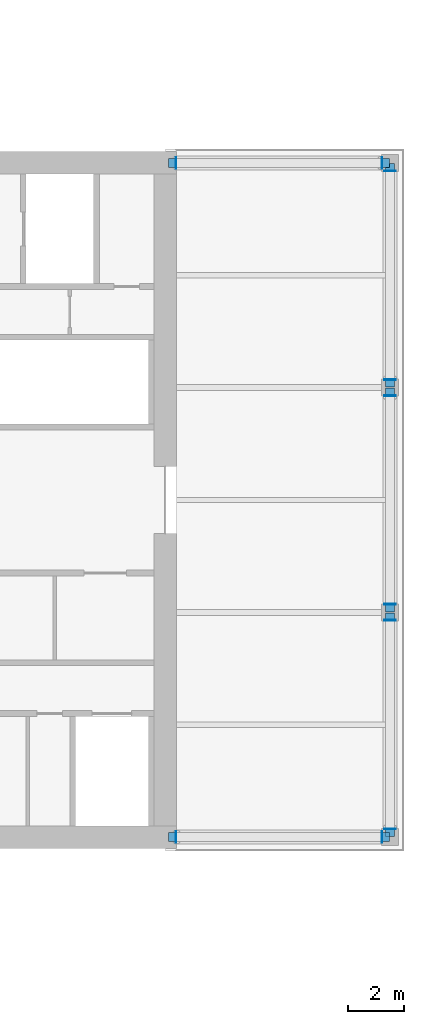
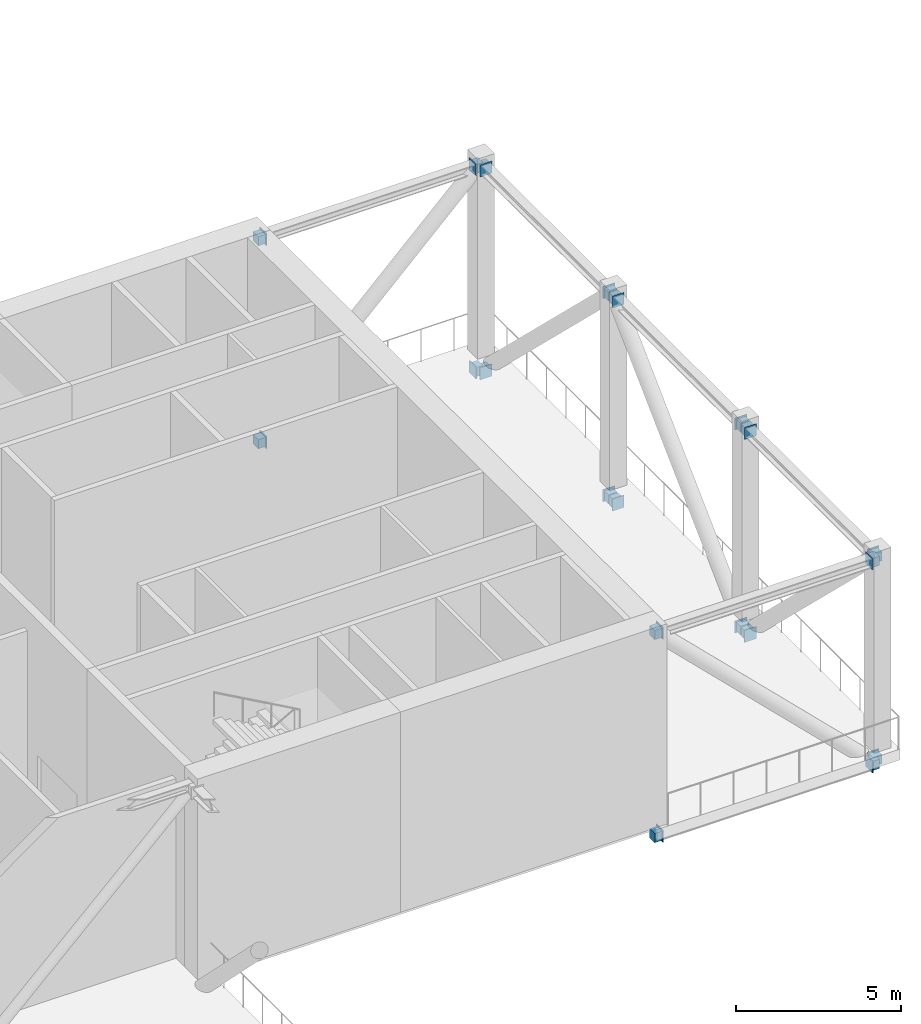
# One storey, part 12 of 18: 40 discrete accessories.
"""IFC4 building model written with IfcOpenShell, lengths in metres."""

from ifc_helpers import new_model, si_unit, direction, frame, origin, origin_2d, place, context, subcontext, project, spatial, rectangle, extrude, material, layer, layer_set, type_object, element, save


model = new_model("IFC4")

# Units and contexts
model_context = context("Model", 3, precision=1e-05, world=origin(), true_north=direction((0.0, 1.0)))
body_context = subcontext(model_context, "Body", "Model", "MODEL_VIEW")
ifc_project = project(units=[si_unit("LENGTHUNIT", "METRE"), si_unit("AREAUNIT", "SQUARE_METRE"), si_unit("VOLUMEUNIT", "CUBIC_METRE"), si_unit("PLANEANGLEUNIT", "RADIAN"), si_unit("MASSUNIT", "GRAM", prefix="KILO")], contexts=[model_context])

# Site, building, storey
site_placement = place(None, origin())
site = spatial("IfcSite", under=ifc_project, at=site_placement, CompositionType="ELEMENT")
building_placement = place(site_placement, origin())
building = spatial("IfcBuilding", under=site, at=building_placement, Name="Crosswind Convention Tower", CompositionType="ELEMENT")
storey_placement = place(building_placement, frame((0.0, 0.0, 105.300048828125)))
storey = spatial("IfcBuildingStorey", under=building, at=storey_placement, Name="L21", CompositionType="ELEMENT", Elevation=105.300048828125)

# Discrete accessories
ifc_material = material(Name="Steel S355", Category="steel")
ifc_layer = layer(ifc_material, 0.030029296875)
ifc_layer_set = layer_set([ifc_layer], Name="Steel S355")
discrete_accessory_type_1 = type_object("IfcDiscreteAccessoryType", Name="Cast-in plate 414 x 440 x 30", PredefinedType="ANCHORPLATE", material=ifc_layer_set)
for number, where, z_axis, x_axis, name in (
    (1, (153.385009765625, 88.0, -0.7900390625), (0.0, 0.0, 1.0), (1.0, 0.0, 0.0), "EP1 L21 cast-in plate"),
    (2, (160.715087890625, 88.0, -0.7900390625), (0.0, 0.0, 1.0), (1.0, 0.0, 0.0), "EP1 L21 cast-in plate"),
    (3, (153.385009765625, 88.0, 6.7099609375), (0.0, 0.0, 1.0), (1.0, 0.0, 0.0), "EP1 L21 cast-in plate"),
    (4, (160.715087890625, 88.0, 6.7099609375), (0.0, 0.0, 1.0), (1.0, 0.0, 0.0), "EP1 L21 cast-in plate"),
    (5, (153.385009765625, 112.0, -0.7900390625), (0.0, 0.0, 1.0), (1.0, 0.0, 0.0), "EP1 L21 cast-in plate"),
    (6, (160.715087890625, 112.0, -0.7900390625), (0.0, 0.0, 1.0), (1.0, 0.0, 0.0), "EP1 L21 cast-in plate"),
    (7, (153.385009765625, 112.0, 6.7099609375), (0.0, 0.0, 1.0), (1.0, 0.0, 0.0), "EP1 L21 cast-in plate"),
    (8, (160.715087890625, 112.0, 6.7099609375), (0.0, 0.0, 1.0), (1.0, 0.0, 0.0), "EP1 L21 cast-in plate"),
):
    element("IfcDiscreteAccessory", number, at=place(storey_placement, frame(where, z_axis=z_axis, x_axis=x_axis)), inside=storey, type_object=discrete_accessory_type_1, Name=name, PredefinedType="ANCHORPLATE", context=body_context, shape_type="SweptSolid", body=[
        extrude(rectangle(XDim=0.030029296875, YDim=0.4140625, at=origin_2d()), origin(), (0.0, 0.0, 1.0), 0.43994140625),
    ])
for number, where, z_axis, x_axis, name in (
    (9, (161.0, 88.284912109375, -0.7900390625), (0.0, 0.0, 1.0), (1.0, 0.0, 0.0), "EP1 L21 cast-in plate"),
    (10, (161.0, 95.715087890625, -0.7900390625), (0.0, 0.0, 1.0), (1.0, 0.0, 0.0), "EP1 L21 cast-in plate"),
    (11, (161.0, 88.284912109375, 6.7099609375), (0.0, 0.0, 1.0), (1.0, 0.0, 0.0), "EP1 L21 cast-in plate"),
    (12, (161.0, 95.715087890625, 6.7099609375), (0.0, 0.0, 1.0), (1.0, 0.0, 0.0), "EP1 L21 cast-in plate"),
    (13, (161.0, 96.284912109375, -0.7900390625), (0.0, 0.0, 1.0), (1.0, 0.0, 0.0), "EP1 L21 cast-in plate"),
    (14, (161.0, 103.715087890625, -0.7900390625), (0.0, 0.0, 1.0), (1.0, 0.0, 0.0), "EP1 L21 cast-in plate"),
    (15, (161.0, 96.284912109375, 6.7099609375), (0.0, 0.0, 1.0), (1.0, 0.0, 0.0), "EP1 L21 cast-in plate"),
    (16, (161.0, 103.715087890625, 6.7099609375), (0.0, 0.0, 1.0), (1.0, 0.0, 0.0), "EP1 L21 cast-in plate"),
    (17, (161.0, 104.284912109375, -0.7900390625), (0.0, 0.0, 1.0), (1.0, 0.0, 0.0), "EP1 L21 cast-in plate"),
    (18, (161.0, 111.715087890625, -0.7900390625), (0.0, 0.0, 1.0), (1.0, 0.0, 0.0), "EP1 L21 cast-in plate"),
    (19, (161.0, 104.284912109375, 6.7099609375), (0.0, 0.0, 1.0), (1.0, 0.0, 0.0), "EP1 L21 cast-in plate"),
    (20, (161.0, 111.715087890625, 6.7099609375), (0.0, 0.0, 1.0), (1.0, 0.0, 0.0), "EP1 L21 cast-in plate"),
):
    element("IfcDiscreteAccessory", number, at=place(storey_placement, frame(where, z_axis=z_axis, x_axis=x_axis)), inside=storey, type_object=discrete_accessory_type_1, Name=name, PredefinedType="ANCHORPLATE", context=body_context, shape_type="SweptSolid", body=[
        extrude(rectangle(XDim=0.4140625, YDim=0.030029296875, at=origin_2d()), origin(), (0.0, 0.0, 1.0), 0.43994140625),
    ])
discrete_accessory_type_2 = type_object("IfcDiscreteAccessoryType", Name="Headed stud group 314 x 340 x 250", PredefinedType="USERDEFINED", material=ifc_material)
for number, where, z_axis, x_axis, name in (
    (21, (153.2451171875, 88.0, -0.739990234375), (0.0, 0.0, 1.0), (1.0, 0.0, 0.0), "AB1 L21 headed stud group"),
    (22, (160.85498046875, 88.0, -0.739990234375), (0.0, 0.0, 1.0), (1.0, 0.0, 0.0), "AB1 L21 headed stud group"),
    (23, (153.2451171875, 88.0, 6.760009765625), (0.0, 0.0, 1.0), (1.0, 0.0, 0.0), "AB1 L21 headed stud group"),
    (24, (160.85498046875, 88.0, 6.760009765625), (0.0, 0.0, 1.0), (1.0, 0.0, 0.0), "AB1 L21 headed stud group"),
    (25, (153.2451171875, 112.0, -0.739990234375), (0.0, 0.0, 1.0), (1.0, 0.0, 0.0), "AB1 L21 headed stud group"),
    (26, (160.85498046875, 112.0, -0.739990234375), (0.0, 0.0, 1.0), (1.0, 0.0, 0.0), "AB1 L21 headed stud group"),
    (27, (153.2451171875, 112.0, 6.760009765625), (0.0, 0.0, 1.0), (1.0, 0.0, 0.0), "AB1 L21 headed stud group"),
    (28, (160.85498046875, 112.0, 6.760009765625), (0.0, 0.0, 1.0), (1.0, 0.0, 0.0), "AB1 L21 headed stud group"),
):
    element("IfcDiscreteAccessory", number, at=place(storey_placement, frame(where, z_axis=z_axis, x_axis=x_axis)), inside=storey, type_object=discrete_accessory_type_2, Name=name, ObjectType="HEADED STUD GROUP", PredefinedType="USERDEFINED", context=body_context, shape_type="SweptSolid", body=[
        extrude(rectangle(XDim=0.25, YDim=0.314208984375, at=origin_2d()), origin(), (0.0, 0.0, 1.0), 0.33984375),
    ])
for number, where, z_axis, x_axis, name in (
    (29, (161.0, 88.14501953125, -0.739990234375), (0.0, 0.0, 1.0), (1.0, 0.0, 0.0), "AB1 L21 headed stud group"),
    (30, (161.0, 95.85498046875, -0.739990234375), (0.0, 0.0, 1.0), (1.0, 0.0, 0.0), "AB1 L21 headed stud group"),
    (31, (161.0, 88.14501953125, 6.760009765625), (0.0, 0.0, 1.0), (1.0, 0.0, 0.0), "AB1 L21 headed stud group"),
    (32, (161.0, 95.85498046875, 6.760009765625), (0.0, 0.0, 1.0), (1.0, 0.0, 0.0), "AB1 L21 headed stud group"),
    (33, (161.0, 96.14501953125, -0.739990234375), (0.0, 0.0, 1.0), (1.0, 0.0, 0.0), "AB1 L21 headed stud group"),
    (34, (161.0, 103.85498046875, -0.739990234375), (0.0, 0.0, 1.0), (1.0, 0.0, 0.0), "AB1 L21 headed stud group"),
    (35, (161.0, 96.14501953125, 6.760009765625), (0.0, 0.0, 1.0), (1.0, 0.0, 0.0), "AB1 L21 headed stud group"),
    (36, (161.0, 103.85498046875, 6.760009765625), (0.0, 0.0, 1.0), (1.0, 0.0, 0.0), "AB1 L21 headed stud group"),
    (37, (161.0, 104.14501953125, -0.739990234375), (0.0, 0.0, 1.0), (1.0, 0.0, 0.0), "AB1 L21 headed stud group"),
    (38, (161.0, 111.85498046875, -0.739990234375), (0.0, 0.0, 1.0), (1.0, 0.0, 0.0), "AB1 L21 headed stud group"),
    (39, (161.0, 104.14501953125, 6.760009765625), (0.0, 0.0, 1.0), (1.0, 0.0, 0.0), "AB1 L21 headed stud group"),
    (40, (161.0, 111.85498046875, 6.760009765625), (0.0, 0.0, 1.0), (1.0, 0.0, 0.0), "AB1 L21 headed stud group"),
):
    element("IfcDiscreteAccessory", number, at=place(storey_placement, frame(where, z_axis=z_axis, x_axis=x_axis)), inside=storey, type_object=discrete_accessory_type_2, Name=name, ObjectType="HEADED STUD GROUP", PredefinedType="USERDEFINED", context=body_context, shape_type="SweptSolid", body=[
        extrude(rectangle(XDim=0.314208984375, YDim=0.25, at=origin_2d()), origin(), (0.0, 0.0, 1.0), 0.33984375),
    ])

save(model, "model.ifc")
